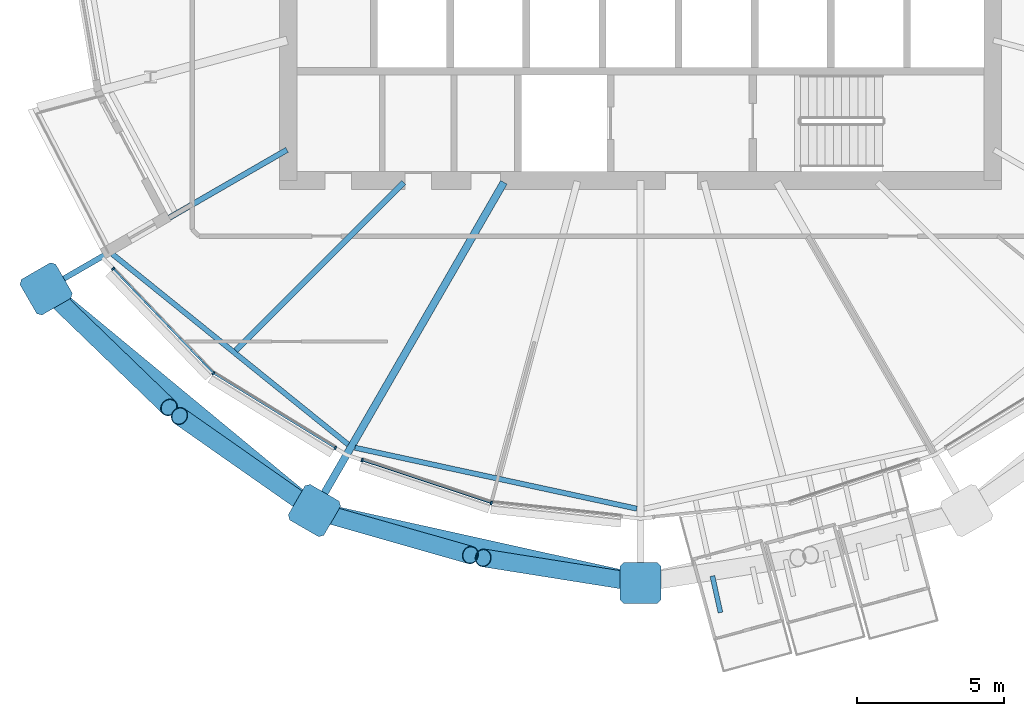
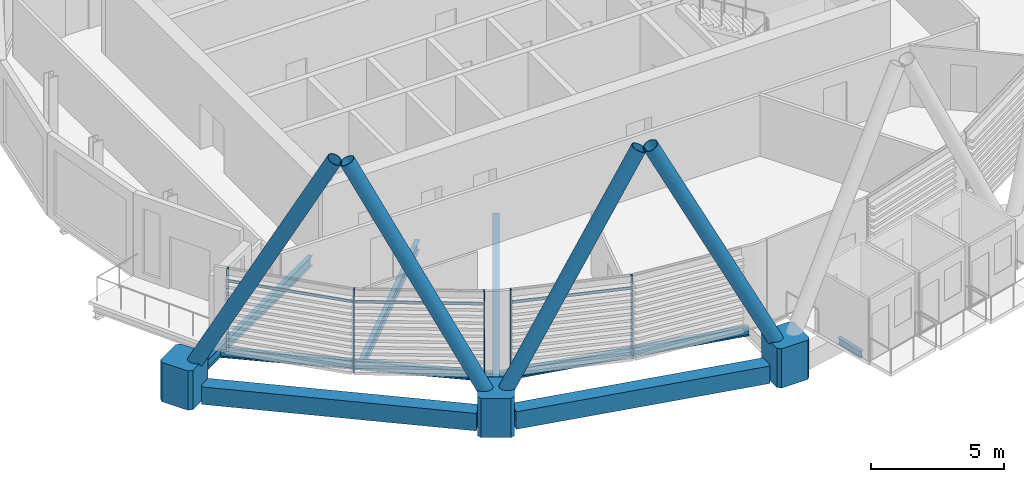
# One storey, part 3 of 35: 15 members, 8 beams, 1 element without a shape of its own.
"""IFC4 building model written with IfcOpenShell, lengths in metres."""

from ifc_helpers import new_model, si_unit, direction, frame, origin, origin_2d, place, context, subcontext, project, spatial, polyline, rectangle, hollow_rectangle, hollow_circle, i_section, outline, extrude, material, material_profile, profile_set, type_object, element, aggregate, save


model = new_model("IFC4")

# Units and contexts
model_context = context("Model", 3, precision=1e-05, world=origin(), true_north=direction((0.0, 1.0)))
body_context = subcontext(model_context, "Body", "Model", "MODEL_VIEW")
ifc_project = project(units=[si_unit("LENGTHUNIT", "METRE"), si_unit("AREAUNIT", "SQUARE_METRE"), si_unit("VOLUMEUNIT", "CUBIC_METRE"), si_unit("PLANEANGLEUNIT", "RADIAN"), si_unit("MASSUNIT", "GRAM", prefix="KILO")], contexts=[model_context])

# Site, building, storey
site_placement = place(None, origin())
site = spatial("IfcSite", under=ifc_project, at=site_placement, CompositionType="ELEMENT")
building_placement = place(site_placement, origin())
building = spatial("IfcBuilding", under=site, at=building_placement, Name="Rimbun Link Towers", CompositionType="ELEMENT")
storey_placement = place(building_placement, frame((0.0, 0.0, 181.699951171875)))
storey = spatial("IfcBuildingStorey", under=building, at=storey_placement, Name="L44", CompositionType="ELEMENT", Elevation=181.699951171875)

# Curtain wall, members
ifc_material_1 = material(Name="Aluminium 6063-T6 and low-iron glass", Category="aluminium")
curtain_wall_type = type_object("IfcCurtainWallType", Name="CW1-Z3 unitised vision wall (zone 3)", PredefinedType="NOTDEFINED", material=ifc_material_1)
curtain_wall_placement = place(storey_placement, origin())
curtain_wall = element("IfcCurtainWall", 1, at=curtain_wall_placement, inside=storey, type_object=curtain_wall_type, Name="CW1 L44 T1", PredefinedType="NOTDEFINED")
ifc_material_2 = material(Name="Aluminium 6063-T6", Category="aluminium")
ifc_material_profile_1 = material_profile(ifc_material_2, rectangle(XDim=0.1201171875, YDim=0.06005859375, at=origin_2d()), Name="MULLION 60X120")
ifc_profile_set_1 = profile_set([ifc_material_profile_1], Name="Aluminium 6063-T6")
member_type_1 = type_object("IfcMemberType", Name="CW1 mullion 60X120", PredefinedType="MULLION", material=ifc_profile_set_1)
member_1_placement = place(storey_placement, frame((-46.307373046875, -14.56640625, 0.0), z_axis=(0.0, 0.0, 1.0), x_axis=(-0.627666301152, -0.778482507445, 0.0)))
member_1 = element("IfcMember", 2, at=member_1_placement, type_object=member_type_1, Name="CW1 mullion", PredefinedType="MULLION", context=body_context, shape_type="SweptSolid", body=[
    extrude(rectangle(XDim=0.1201171875, YDim=0.06005859375, at=origin_2d()), origin(), (0.0, 0.0, 1.0), 3.800048828125),
])
member_2_placement = place(storey_placement, frame((-49.7197265625, -11.008056640625, 0.0), z_axis=(0.0, 0.0, 1.0), x_axis=(-0.721842893583, -0.692056960795, 0.0)))
member_2 = element("IfcMember", 3, at=member_2_placement, type_object=member_type_1, Name="CW1 mullion", PredefinedType="MULLION", context=body_context, shape_type="SweptSolid", body=[
    extrude(rectangle(XDim=0.1201171875, YDim=0.06005859375, at=origin_2d()), origin(), (0.0, 0.0, 1.0), 3.800048828125),
])
member_3_placement = place(storey_placement, frame((-42.154052734375, -17.1171875, 0.0), z_axis=(0.0, 0.0, 1.0), x_axis=(-0.523234516531, -0.852188735381, 0.0)))
member_3 = element("IfcMember", 4, at=member_3_placement, type_object=member_type_1, Name="CW1 mullion", PredefinedType="MULLION", context=body_context, shape_type="SweptSolid", body=[
    extrude(rectangle(XDim=0.1201171875, YDim=0.06005859375, at=origin_2d()), origin(), (0.0, 0.0, 1.0), 3.800048828125),
])
member_4_placement = place(storey_placement, frame((-36.835205078125, -18.989501953125, 0.0), z_axis=(0.0, 0.0, 1.0), x_axis=(-0.210876961602, -0.977512612228, 0.0)))
member_4 = element("IfcMember", 5, at=member_4_placement, type_object=member_type_1, Name="CW1 mullion", PredefinedType="MULLION", context=body_context, shape_type="SweptSolid", body=[
    extrude(rectangle(XDim=0.1201171875, YDim=0.06005859375, at=origin_2d()), origin(), (0.0, 0.0, 1.0), 3.800048828125),
])
member_5_placement = place(storey_placement, frame((-41.23583984375, -17.531494140625, 0.0), z_axis=(0.0, 0.0, 1.0), x_axis=(-0.314564968894, -0.949235945561, 0.0)))
member_5 = element("IfcMember", 6, at=member_5_placement, type_object=member_type_1, Name="CW1 mullion", PredefinedType="MULLION", context=body_context, shape_type="SweptSolid", body=[
    extrude(rectangle(XDim=0.1201171875, YDim=0.06005859375, at=origin_2d()), origin(), (0.0, 0.0, 1.0), 3.800048828125),
])
ifc_material_3 = material(Name="Aluminium 6063-T6", Category="aluminium")
ifc_material_profile_2 = material_profile(ifc_material_3, rectangle(XDim=0.06005859375, YDim=0.1201171875, at=origin_2d()), Name="TRANSOM 60X120")
ifc_profile_set_2 = profile_set([ifc_material_profile_2], Name="Aluminium 6063-T6")
member_type_2 = type_object("IfcMemberType", Name="CW1 transom 60X120", PredefinedType="USERDEFINED", material=ifc_profile_set_2)
member_6_placement = place(storey_placement, frame((-46.33251953125, -14.538330078125, 3.199951171875), z_axis=(-0.692037304928, 0.721861737862, 0.0), x_axis=(-0.721861737862, -0.692037304928, 0.0)))
member_6 = element("IfcMember", 7, at=member_6_placement, type_object=member_type_2, Name="CW1 transom", ObjectType="TRANSOM", PredefinedType="USERDEFINED", context=body_context, shape_type="SweptSolid", body=[
    extrude(rectangle(XDim=0.06005859375, YDim=0.1201171875, at=origin_2d()), origin(), (0.0, 0.0, 1.0), 4.862548828125),
])
member_7_placement = place(storey_placement, frame((-42.178466796875, -17.099853515625, 3.199951171875), z_axis=(-0.85220023098, 0.523215793261, 0.0), x_axis=(-0.523215793261, -0.85220023098, 0.0)))
member_7 = element("IfcMember", 8, at=member_7_placement, type_object=member_type_2, Name="CW1 transom", ObjectType="TRANSOM", PredefinedType="USERDEFINED", context=body_context, shape_type="SweptSolid", body=[
    extrude(rectangle(XDim=0.06005859375, YDim=0.1201171875, at=origin_2d()), origin(), (0.0, 0.0, 1.0), 4.806640625),
])
member_8_placement = place(storey_placement, frame((-36.869140625, -18.9765625, 3.199951171875), z_axis=(-0.949232156623, 0.314576402218, 0.0), x_axis=(-0.314576402218, -0.949232156623, 0.0)))
member_8 = element("IfcMember", 9, at=member_8_placement, type_object=member_type_2, Name="CW1 transom", ObjectType="TRANSOM", PredefinedType="USERDEFINED", context=body_context, shape_type="SweptSolid", body=[
    extrude(rectangle(XDim=0.06005859375, YDim=0.1201171875, at=origin_2d()), origin(), (0.0, 0.0, 1.0), 4.569580078125),
])
aggregate(curtain_wall, [member_1, member_2, member_3, member_4, member_5, member_6, member_7, member_8])

# Beam
ifc_material_4 = material(Name="Steel S355J2", Category="steel")
ifc_material_profile_3 = material_profile(ifc_material_4, i_section(OverallWidth=0.1650390625, OverallDepth=0.303466796875, WebThickness=0.006103515625, FlangeThickness=0.01025390625, at=origin_2d()), Name="UB 305x165x40")
ifc_profile_set_3 = profile_set([ifc_material_profile_3], Name="Steel S355J2")
beam_type_1 = type_object("IfcBeamType", Name="Capsule bracket beam UB 305x165x40", PredefinedType="BEAM", material=ifc_profile_set_3)
beam_1_placement = place(storey_placement, frame((-29.30078125, -21.479248046875, -0.311767578125), z_axis=(0.216404147241, -0.976303869222, 0.0), x_axis=(0.976303869222, 0.216404147241, 0.0)))
element("IfcBeam", 10, at=beam_1_placement, inside=storey, type_object=beam_type_1, Name="Capsule D441.03 bracket beam 4", PredefinedType="BEAM", context=body_context, shape_type="SweptSolid", body=[
    extrude(i_section(OverallWidth=0.1650390625, OverallDepth=0.303466796875, WebThickness=0.006103515625, FlangeThickness=0.01025390625, at=origin_2d()), origin(), (0.0, 0.0, 1.0), 1.277099609375),
])

# Members
ifc_material_5 = material(Name="Steel S355J2H", Category="steel")
ifc_material_profile_4 = material_profile(ifc_material_5, hollow_circle(Radius=0.3046875, WallThickness=0.02490234375, at=origin_2d()), Name="Diagrid diagonal CHS 610x25")
ifc_profile_set_4 = profile_set([ifc_material_profile_4], Name="Steel S355J2H")
member_type_3 = type_object("IfcMemberType", Name="Diagrid diagonal CHS 610x25", PredefinedType="BRACE", material=ifc_profile_set_4)
member_9_placement = place(storey_placement, frame((-51.8369140625, -11.857421875, 0.441650390625), z_axis=(0.337487022674, -0.325739251336, 0.883174076649), x_axis=(0.694472813662, 0.719518944215, 0.0)))
element("IfcMember", 11, at=member_9_placement, inside=storey, type_object=member_type_3, Name="Diagrid diagonal T1 L44-L47 14b", PredefinedType="BRACE", context=body_context, shape_type="SweptSolid", body=[
    extrude(hollow_circle(Radius=0.3046875, WallThickness=0.02490234375, at=origin_2d()), origin(), (0.0, 0.0, 1.0), 11.907958984375),
])
member_10_placement = place(storey_placement, frame((-43.05078125, -19.119384765625, 0.445068359375), z_axis=(-0.373562050298, 0.261596800469, 0.889954217116), x_axis=(-0.57361445086, -0.819125424928, 0.0)))
element("IfcMember", 12, at=member_10_placement, inside=storey, type_object=member_type_3, Name="Diagrid diagonal T1 L44-L47 16a", PredefinedType="BRACE", context=body_context, shape_type="SweptSolid", body=[
    extrude(hollow_circle(Radius=0.3046875, WallThickness=0.02490234375, at=origin_2d()), origin(), (0.0, 0.0, 1.0), 11.8095703125),
])
member_11_placement = place(storey_placement, frame((-42.6474609375, -19.31201171875, 0.446533203125), z_axis=(0.433306830966, -0.123609335331, 0.892729478878), x_axis=(0.274325893764, 0.961636783828, 0.0)))
element("IfcMember", 13, at=member_11_placement, inside=storey, type_object=member_type_3, Name="Diagrid diagonal T1 L44-L47 16b", PredefinedType="BRACE", context=body_context, shape_type="SweptSolid", body=[
    extrude(hollow_circle(Radius=0.3046875, WallThickness=0.02490234375, at=origin_2d()), origin(), (0.0, 0.0, 1.0), 11.76953125),
])
member_12_placement = place(storey_placement, frame((-31.96923828125, -21.680419921875, 0.447998046875), z_axis=(-0.438638699179, 0.069698239943, 0.89595660996), x_axis=(-0.156927973686, -0.987610050108, 0.0)))
element("IfcMember", 14, at=member_12_placement, inside=storey, type_object=member_type_3, Name="Diagrid diagonal T1 L44-L47 18a", PredefinedType="BRACE", context=body_context, shape_type="SweptSolid", body=[
    extrude(hollow_circle(Radius=0.3046875, WallThickness=0.02490234375, at=origin_2d()), origin(), (0.0, 0.0, 1.0), 11.723876953125),
])
ifc_material_6 = material(Name="Cast steel G20Mn5+QT, Rp0.2 300 MPa", Category="steel")
ifc_material_profile_5 = material_profile(ifc_material_6, outline(polyline([(0.699951171875, -0.570068359375), (0.699951171875, 0.570068359375), (0.570068359375, 0.699951171875), (-0.570068359375, 0.699951171875), (-0.699951171875, 0.570068359375), (-0.699951171875, -0.570068359375), (-0.570068359375, -0.699951171875), (0.570068359375, -0.699951171875), (0.699951171875, -0.570068359375)])), Name="NODE 1400x1400")
ifc_profile_set_5 = profile_set([ifc_material_profile_5], Name="Cast steel G20Mn5+QT, Rp0.2 300 MPa")
member_type_4 = type_object("IfcMemberType", Name="Diagrid node cast 1400", PredefinedType="USERDEFINED", material=ifc_profile_set_5)
for number, where, z_axis, x_axis, name in (
    (15, (-52.005615234375, -11.694580078125, -0.89990234375), (0.0, 0.0, 1.0), (-0.866025403784, -0.5, 0.0), "Diagrid node L44 14"),
    (16, (-42.864013671875, -19.250244140625, -0.89990234375), (0.0, 0.0, 1.0), (-0.5, -0.866025403784, 0.0), "Diagrid node L44 16"),
    (17, (-31.75, -21.715087890625, -0.89990234375), (0.0, 0.0, 1.0), (0.0, -1.0, 0.0), "Diagrid node L44 18"),
):
    element("IfcMember", number, at=place(storey_placement, frame(where, z_axis=z_axis, x_axis=x_axis)), inside=storey, type_object=member_type_4, Name=name, ObjectType="Diagrid node", PredefinedType="USERDEFINED", context=body_context, shape_type="SweptSolid", body=[
        extrude(outline(polyline([(0.699951171875, -0.570068359375), (0.699951171875, 0.570068359375), (0.570068359375, 0.699951171875), (-0.570068359375, 0.699951171875), (-0.699951171875, 0.570068359375), (-0.699951171875, -0.570068359375), (-0.570068359375, -0.699951171875), (0.570068359375, -0.699951171875), (0.699951171875, -0.570068359375)])), origin(), (0.0, 0.0, 1.0), 1.800048828125),
    ])

# Beams
ifc_material_7 = material(Name="Steel S355J2", Category="steel")
ifc_material_profile_6 = material_profile(ifc_material_7, hollow_rectangle(XDim=0.60009765625, YDim=0.800048828125, WallThickness=0.0400390625, at=origin_2d()), Name="Exoskeleton ring girder BOX 600x800x40")
ifc_profile_set_6 = profile_set([ifc_material_profile_6], Name="Steel S355J2")
beam_type_2 = type_object("IfcBeamType", Name="Exoskeleton ring girder BOX 600x800x40", PredefinedType="BEAM", material=ifc_profile_set_6)
beam_2_placement = place(storey_placement, frame((-51.466064453125, -12.140625, -0.56005859375), z_axis=(0.770799780036, -0.637077467108, 0.0), x_axis=(0.637077467108, 0.770799780036, 0.0)))
element("IfcBeam", 18, at=beam_2_placement, inside=storey, type_object=beam_type_2, Name="Exoskeleton ring girder L44 05", PredefinedType="BEAM", context=body_context, shape_type="SweptSolid", body=[
    extrude(hollow_rectangle(XDim=0.60009765625, YDim=0.800048828125, WallThickness=0.0400390625, at=origin_2d()), origin(), (0.0, 0.0, 1.0), 10.459716796875),
])
beam_3_placement = place(storey_placement, frame((-42.1806640625, -19.40185546875, -0.56005859375), z_axis=(0.976276158322, -0.216529126661, 0.0), x_axis=(0.216529126661, 0.976276158322, 0.0)))
element("IfcBeam", 19, at=beam_3_placement, inside=storey, type_object=beam_type_2, Name="Exoskeleton ring girder L44 06", PredefinedType="BEAM", context=body_context, shape_type="SweptSolid", body=[
    extrude(hollow_rectangle(XDim=0.60009765625, YDim=0.800048828125, WallThickness=0.0400390625, at=origin_2d()), origin(), (0.0, 0.0, 1.0), 9.984130859375),
])
ifc_material_8 = material(Name="Steel S355J2", Category="steel")
ifc_material_profile_7 = material_profile(ifc_material_8, i_section(OverallWidth=0.177978515625, OverallDepth=0.406494140625, WebThickness=0.0078125, FlangeThickness=0.0126953125, at=origin_2d()), Name="UB 406x178x60")
ifc_profile_set_7 = profile_set([ifc_material_profile_7], Name="Steel S355J2")
beam_type_3 = type_object("IfcBeamType", Name="UB 406x178x60", PredefinedType="BEAM", material=ifc_profile_set_7)
beam_4_placement = place(storey_placement, frame((-49.754150390625, -10.50537109375, -0.353271484375), z_axis=(0.778014886906, -0.628245840219, 0.0), x_axis=(0.628245840219, 0.778014886906, 0.0)))
element("IfcBeam", 20, at=beam_4_placement, inside=storey, type_object=beam_type_3, Name="Edge beam T1 L44 14-16", PredefinedType="BEAM", context=body_context, shape_type="SweptSolid", body=[
    extrude(i_section(OverallWidth=0.177978515625, OverallDepth=0.406494140625, WebThickness=0.0078125, FlangeThickness=0.0126953125, at=origin_2d()), origin(), (0.0, 0.0, 1.0), 10.336669921875),
])
beam_5_placement = place(storey_placement, frame((-41.480224609375, -17.10888671875, -0.353271484375), z_axis=(0.977389603909, -0.211446357665, 0.0), x_axis=(0.211446357665, 0.977389603909, 0.0)))
element("IfcBeam", 21, at=beam_5_placement, inside=storey, type_object=beam_type_3, Name="Edge beam T1 L44 16-18", PredefinedType="BEAM", context=body_context, shape_type="SweptSolid", body=[
    extrude(i_section(OverallWidth=0.177978515625, OverallDepth=0.406494140625, WebThickness=0.0078125, FlangeThickness=0.0126953125, at=origin_2d()), origin(), (0.0, 0.0, 1.0), 9.82470703125),
])
ifc_material_9 = material(Name="Steel S355J2", Category="steel")
ifc_material_profile_8 = material_profile(ifc_material_9, i_section(OverallWidth=0.18994140625, OverallDepth=0.453369140625, WebThickness=0.008544921875, FlangeThickness=0.0126953125, at=origin_2d()), Name="UB 457x191x67")
ifc_profile_set_8 = profile_set([ifc_material_profile_8], Name="Steel S355J2")
beam_type_4 = type_object("IfcBeamType", Name="UB 457x191x67", PredefinedType="BEAM", material=ifc_profile_set_8)
beam_6_placement = place(storey_placement, frame((-43.79833984375, -6.9560546875, -0.376708984375), z_axis=(-0.866020276526, -0.500008880568, 0.0), x_axis=(0.500008880568, -0.866020276526, 0.0)))
element("IfcBeam", 22, at=beam_6_placement, inside=storey, type_object=beam_type_4, Name="Radial beam T1 L44 14", PredefinedType="BEAM", context=body_context, shape_type="SweptSolid", body=[
    extrude(i_section(OverallWidth=0.18994140625, OverallDepth=0.453369140625, WebThickness=0.008544921875, FlangeThickness=0.0126953125, at=origin_2d()), origin(), (0.0, 0.0, 1.0), 8.976806640625),
])
beam_7_placement = place(storey_placement, frame((-39.81787109375, -8.06787109375, -0.376708984375), z_axis=(-0.707106781187, -0.707106781187, 0.0), x_axis=(0.707106781187, -0.707106781187, 0.0)))
element("IfcBeam", 23, at=beam_7_placement, inside=storey, type_object=beam_type_4, Name="Radial beam T1 L44 15", PredefinedType="BEAM", context=body_context, shape_type="SweptSolid", body=[
    extrude(i_section(OverallWidth=0.18994140625, OverallDepth=0.453369140625, WebThickness=0.008544921875, FlangeThickness=0.0126953125, at=origin_2d()), origin(), (0.0, 0.0, 1.0), 8.094482421875),
])
ifc_material_10 = material(Name="Steel S355J2", Category="steel")
ifc_material_profile_9 = material_profile(ifc_material_10, i_section(OverallWidth=0.253662109375, OverallDepth=0.68359375, WebThickness=0.012451171875, FlangeThickness=0.01904296875, at=origin_2d()), Name="UB 686x254x140")
ifc_profile_set_9 = profile_set([ifc_material_profile_9], Name="Steel S355J2")
beam_type_5 = type_object("IfcBeamType", Name="UB 686x254x140", PredefinedType="BEAM", material=ifc_profile_set_9)
beam_8_placement = place(storey_placement, frame((-36.406005859375, -8.064208984375, -0.49169921875), z_axis=(-0.499987977232, -0.866032345022, 0.0), x_axis=(0.866032345022, -0.499987977232, 0.0)))
element("IfcBeam", 24, at=beam_8_placement, inside=storey, type_object=beam_type_5, Name="Radial beam T1 L44 16", PredefinedType="BEAM", context=body_context, shape_type="SweptSolid", body=[
    extrude(i_section(OverallWidth=0.253662109375, OverallDepth=0.68359375, WebThickness=0.012451171875, FlangeThickness=0.01904296875, at=origin_2d()), origin(), (0.0, 0.0, 1.0), 12.416259765625),
])

save(model, "model.ifc")
